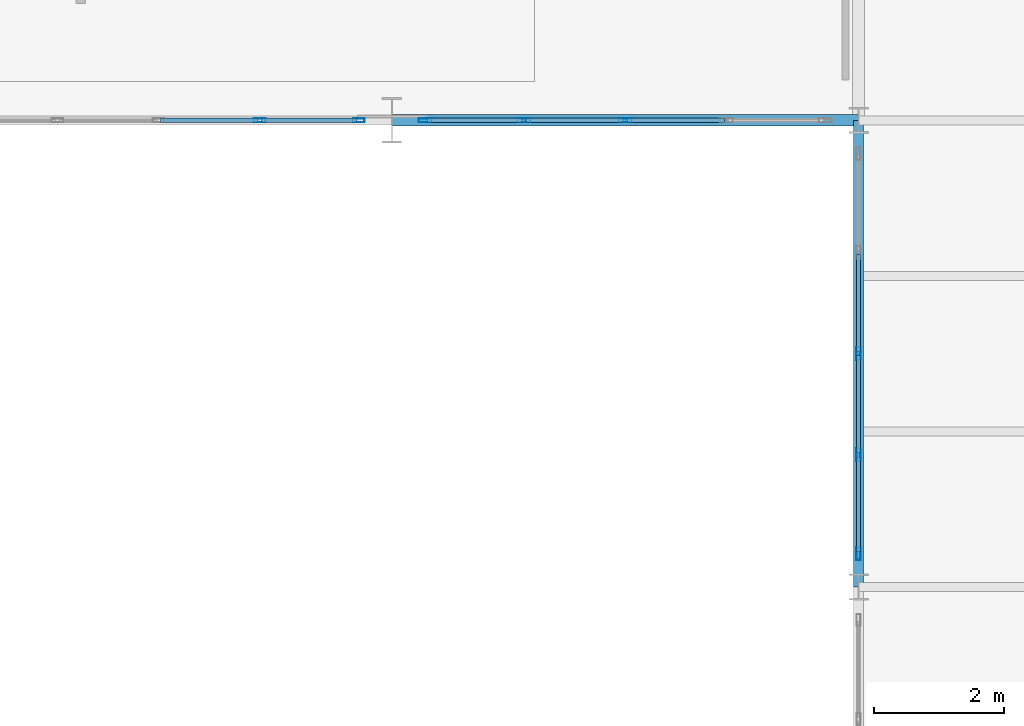
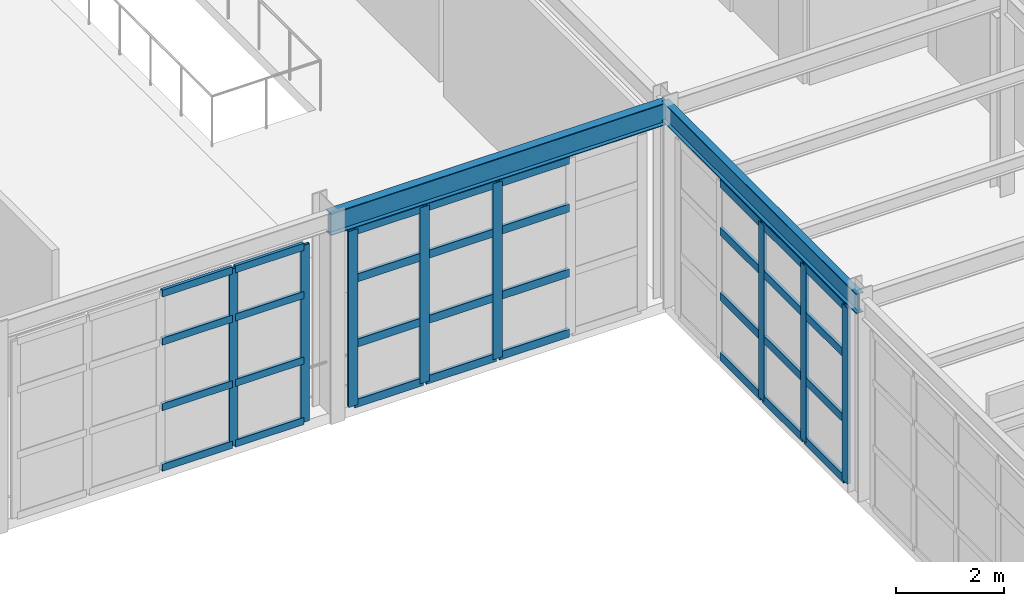
# One storey, part 39 of 126: 40 members, 2 beams, 3 elements without a shape of their own.
"""IFC4 building model written with IfcOpenShell, lengths in metres."""

from ifc_helpers import new_model, si_unit, direction, frame, origin, origin_2d, place, context, subcontext, project, spatial, hollow_rectangle, i_section, extrude, material, layer, layer_set, material_profile, profile_set, type_object, element, aggregate, save


model = new_model("IFC4")

# Units and contexts
model_context = context("Model", 3, precision=1e-05, world=origin(), true_north=direction((0.0, 1.0)))
body_context = subcontext(model_context, "Body", "Model", "MODEL_VIEW")
ifc_project = project(units=[si_unit("LENGTHUNIT", "METRE"), si_unit("AREAUNIT", "SQUARE_METRE"), si_unit("VOLUMEUNIT", "CUBIC_METRE"), si_unit("PLANEANGLEUNIT", "RADIAN"), si_unit("MASSUNIT", "GRAM", prefix="KILO")], contexts=[model_context])

# Site, building, storey
site_placement = place(None, origin())
site = spatial("IfcSite", under=ifc_project, at=site_placement, CompositionType="ELEMENT")
building_placement = place(site_placement, origin())
building = spatial("IfcBuilding", under=site, at=building_placement, Name="Solvadek Multi-Sports Hall", CompositionType="ELEMENT")
storey_placement = place(building_placement, frame((0.0, 0.0, 9.60009765625)))
storey = spatial("IfcBuildingStorey", under=building, at=storey_placement, Name="L02", CompositionType="ELEMENT", Elevation=9.60009765625)

# Curtain wall, members
ifc_material_1 = material(Name="Anodised aluminium", Category="aluminium")
ifc_layer_1 = layer(ifc_material_1, 0.159912109375, Name="Anodised aluminium")
ifc_layer_set_1 = layer_set([ifc_layer_1], Name="Anodised aluminium")
curtain_wall_type_1 = type_object("IfcCurtainWallType", Name="ENV-CW-624X400", PredefinedType="USERDEFINED", material=ifc_layer_set_1)
curtain_wall_1_placement = place(storey_placement, origin())
curtain_wall_1 = element("IfcCurtainWall", 1, at=curtain_wall_1_placement, inside=storey, type_object=curtain_wall_type_1, Name="L02 Perimeter Bay Curtain Wall #173", ObjectType="CURTAIN WALL", PredefinedType="USERDEFINED")
ifc_material_profile_1 = material_profile(ifc_material_1, hollow_rectangle(XDim=0.06005859375, YDim=0.179931640625, WallThickness=0.00390625, at=origin_2d()), Name="ALU-M 180x60x4")
ifc_profile_set_1 = profile_set([ifc_material_profile_1], Name="Anodised aluminium")
member_type_1 = type_object("IfcMemberType", Name="ENV-CWM-02", PredefinedType="MULLION", material=ifc_profile_set_1)
member_1_placement = place(storey_placement, frame((48.360107421875, 49.199951171875, 0.0), z_axis=(0.0, 0.0, 1.0), x_axis=(0.0, 1.0, 0.0)))
member_1 = element("IfcMember", 2, at=member_1_placement, type_object=member_type_1, Name="CW-56 mullion 4", PredefinedType="MULLION", context=body_context, shape_type="SweptSolid", body=[
    extrude(hollow_rectangle(XDim=0.06005859375, YDim=0.179931640625, WallThickness=0.00390625, at=origin_2d()), origin(), (0.0, 0.0, 1.0), 4.0),
])
member_2_placement = place(storey_placement, frame((49.889892578125, 49.199951171875, 0.0), z_axis=(0.0, 0.0, 1.0), x_axis=(0.0, 1.0, 0.0)))
member_2 = element("IfcMember", 3, at=member_2_placement, type_object=member_type_1, Name="CW-56 mullion 5", PredefinedType="MULLION", context=body_context, shape_type="SweptSolid", body=[
    extrude(hollow_rectangle(XDim=0.06005859375, YDim=0.179931640625, WallThickness=0.00390625, at=origin_2d()), origin(), (0.0, 0.0, 1.0), 4.0),
])

ifc_layer_2 = layer(ifc_material_1, 0.159912109375, Name="Anodised aluminium")
ifc_layer_set_2 = layer_set([ifc_layer_2], Name="Anodised aluminium")
curtain_wall_type_2 = type_object("IfcCurtainWallType", Name="ENV-CW-624X397", PredefinedType="USERDEFINED", material=ifc_layer_set_2)
curtain_wall_2_placement = place(storey_placement, origin())
curtain_wall_2 = element("IfcCurtainWall", 4, at=curtain_wall_2_placement, inside=storey, type_object=curtain_wall_type_2, Name="L02 Perimeter Bay Curtain Wall #179", ObjectType="CURTAIN WALL", PredefinedType="USERDEFINED")
ifc_material_profile_2 = material_profile(ifc_material_1, hollow_rectangle(XDim=0.06494140625, YDim=0.199951171875, WallThickness=0.0048828125, at=origin_2d()), Name="ALU-M 200x65x5")
ifc_profile_set_2 = profile_set([ifc_material_profile_2], Name="Anodised aluminium")
member_type_2 = type_object("IfcMemberType", Name="ENV-CWM-03", PredefinedType="MULLION", material=ifc_profile_set_2)
member_3_placement = place(storey_placement, frame((50.91259765625, 49.199951171875, 0.0), z_axis=(0.0, 0.0, 1.0), x_axis=(0.0, 1.0, 0.0)))
member_3 = element("IfcMember", 5, at=member_3_placement, type_object=member_type_2, Name="CW-57 mullion 1", PredefinedType="MULLION", context=body_context, shape_type="SweptSolid", body=[
    extrude(hollow_rectangle(XDim=0.06494140625, YDim=0.199951171875, WallThickness=0.0048828125, at=origin_2d()), origin(), (0.0, 0.0, 1.0), 3.974853515625),
])
member_4_placement = place(storey_placement, frame((52.43994140625, 49.199951171875, 0.0), z_axis=(0.0, 0.0, 1.0), x_axis=(0.0, 1.0, 0.0)))
member_4 = element("IfcMember", 6, at=member_4_placement, type_object=member_type_2, Name="CW-57 mullion 2", PredefinedType="MULLION", context=body_context, shape_type="SweptSolid", body=[
    extrude(hollow_rectangle(XDim=0.06494140625, YDim=0.199951171875, WallThickness=0.0048828125, at=origin_2d()), origin(), (0.0, 0.0, 1.0), 3.974853515625),
])
member_5_placement = place(storey_placement, frame((54.0, 49.199951171875, 0.0), z_axis=(0.0, 0.0, 1.0), x_axis=(0.0, 1.0, 0.0)))
member_5 = element("IfcMember", 7, at=member_5_placement, type_object=member_type_2, Name="CW-57 mullion 3", PredefinedType="MULLION", context=body_context, shape_type="SweptSolid", body=[
    extrude(hollow_rectangle(XDim=0.06494140625, YDim=0.199951171875, WallThickness=0.0048828125, at=origin_2d()), origin(), (0.0, 0.0, 1.0), 3.974853515625),
])

curtain_wall_3_placement = place(storey_placement, origin())
curtain_wall_3 = element("IfcCurtainWall", 8, at=curtain_wall_3_placement, inside=storey, type_object=curtain_wall_type_2, Name="L02 Perimeter Bay Curtain Wall #202", ObjectType="CURTAIN WALL", PredefinedType="USERDEFINED")
member_6_placement = place(storey_placement, frame((57.60009765625, 42.512451171875, 0.0), z_axis=(0.0, 0.0, 1.0), x_axis=(-1.0, 0.0, 0.0)))
member_6 = element("IfcMember", 9, at=member_6_placement, type_object=member_type_2, Name="CW-57 mullion 1", PredefinedType="MULLION", context=body_context, shape_type="SweptSolid", body=[
    extrude(hollow_rectangle(XDim=0.06494140625, YDim=0.199951171875, WallThickness=0.0048828125, at=origin_2d()), origin(), (0.0, 0.0, 1.0), 3.974853515625),
])
member_7_placement = place(storey_placement, frame((57.60009765625, 44.0400390625, 0.0), z_axis=(0.0, 0.0, 1.0), x_axis=(-1.0, 0.0, 0.0)))
member_7 = element("IfcMember", 10, at=member_7_placement, type_object=member_type_2, Name="CW-57 mullion 2", PredefinedType="MULLION", context=body_context, shape_type="SweptSolid", body=[
    extrude(hollow_rectangle(XDim=0.06494140625, YDim=0.199951171875, WallThickness=0.0048828125, at=origin_2d()), origin(), (0.0, 0.0, 1.0), 3.974853515625),
])
member_8_placement = place(storey_placement, frame((57.60009765625, 45.60009765625, 0.0), z_axis=(0.0, 0.0, 1.0), x_axis=(-1.0, 0.0, 0.0)))
member_8 = element("IfcMember", 11, at=member_8_placement, type_object=member_type_2, Name="CW-57 mullion 3", PredefinedType="MULLION", context=body_context, shape_type="SweptSolid", body=[
    extrude(hollow_rectangle(XDim=0.06494140625, YDim=0.199951171875, WallThickness=0.0048828125, at=origin_2d()), origin(), (0.0, 0.0, 1.0), 3.974853515625),
])

# Member
ifc_material_profile_3 = material_profile(ifc_material_1, hollow_rectangle(XDim=0.06494140625, YDim=0.159912109375, WallThickness=0.00390625, at=origin_2d()), Name="ALU-T 160x65x4")
ifc_profile_set_3 = profile_set([ifc_material_profile_3], Name="Anodised aluminium")
member_type_3 = type_object("IfcMemberType", Name="ENV-CWT-03", PredefinedType="USERDEFINED", material=ifc_profile_set_3)
member_9_placement = place(storey_placement, frame((46.830078125, 49.199951171875, 0.032470703125), z_axis=(1.0, 0.0, 0.0), x_axis=(0.0, 1.0, 0.0)))
member_9 = element("IfcMember", 12, at=member_9_placement, type_object=member_type_3, Name="CW-56 transom 3.1", ObjectType="TRANSOM", PredefinedType="USERDEFINED", context=body_context, shape_type="SweptSolid", body=[
    extrude(hollow_rectangle(XDim=0.06494140625, YDim=0.159912109375, WallThickness=0.00390625, at=origin_2d()), origin(), (0.0, 0.0, 1.0), 1.5),
])

member_10_placement = place(storey_placement, frame((46.830078125, 49.199951171875, 1.39990234375), z_axis=(1.0, 0.0, 0.0), x_axis=(0.0, 1.0, 0.0)))
member_10 = element("IfcMember", 13, at=member_10_placement, type_object=member_type_3, Name="CW-56 transom 3.2", ObjectType="TRANSOM", PredefinedType="USERDEFINED", context=body_context, shape_type="SweptSolid", body=[
    extrude(hollow_rectangle(XDim=0.06494140625, YDim=0.159912109375, WallThickness=0.00390625, at=origin_2d()), origin(), (0.0, 0.0, 1.0), 1.5),
])

member_11_placement = place(storey_placement, frame((46.830078125, 49.199951171875, 2.8798828125), z_axis=(1.0, 0.0, 0.0), x_axis=(0.0, 1.0, 0.0)))
member_11 = element("IfcMember", 14, at=member_11_placement, type_object=member_type_3, Name="CW-56 transom 3.3", ObjectType="TRANSOM", PredefinedType="USERDEFINED", context=body_context, shape_type="SweptSolid", body=[
    extrude(hollow_rectangle(XDim=0.06494140625, YDim=0.159912109375, WallThickness=0.00390625, at=origin_2d()), origin(), (0.0, 0.0, 1.0), 1.5),
])

member_12_placement = place(storey_placement, frame((46.830078125, 49.199951171875, 3.96728515625), z_axis=(1.0, 0.0, 0.0), x_axis=(0.0, 1.0, 0.0)))
member_12 = element("IfcMember", 15, at=member_12_placement, type_object=member_type_3, Name="CW-56 transom 3.4", ObjectType="TRANSOM", PredefinedType="USERDEFINED", context=body_context, shape_type="SweptSolid", body=[
    extrude(hollow_rectangle(XDim=0.06494140625, YDim=0.159912109375, WallThickness=0.00390625, at=origin_2d()), origin(), (0.0, 0.0, 1.0), 1.5),
])

member_13_placement = place(storey_placement, frame((48.389892578125, 49.199951171875, 0.032470703125), z_axis=(1.0, 0.0, 0.0), x_axis=(0.0, 1.0, 0.0)))
member_13 = element("IfcMember", 16, at=member_13_placement, type_object=member_type_3, Name="CW-56 transom 4.1", ObjectType="TRANSOM", PredefinedType="USERDEFINED", context=body_context, shape_type="SweptSolid", body=[
    extrude(hollow_rectangle(XDim=0.06494140625, YDim=0.159912109375, WallThickness=0.00390625, at=origin_2d()), origin(), (0.0, 0.0, 1.0), 1.47021484375),
])

member_14_placement = place(storey_placement, frame((48.389892578125, 49.199951171875, 1.39990234375), z_axis=(1.0, 0.0, 0.0), x_axis=(0.0, 1.0, 0.0)))
member_14 = element("IfcMember", 17, at=member_14_placement, type_object=member_type_3, Name="CW-56 transom 4.2", ObjectType="TRANSOM", PredefinedType="USERDEFINED", context=body_context, shape_type="SweptSolid", body=[
    extrude(hollow_rectangle(XDim=0.06494140625, YDim=0.159912109375, WallThickness=0.00390625, at=origin_2d()), origin(), (0.0, 0.0, 1.0), 1.47021484375),
])

member_15_placement = place(storey_placement, frame((48.389892578125, 49.199951171875, 2.8798828125), z_axis=(1.0, 0.0, 0.0), x_axis=(0.0, 1.0, 0.0)))
member_15 = element("IfcMember", 18, at=member_15_placement, type_object=member_type_3, Name="CW-56 transom 4.3", ObjectType="TRANSOM", PredefinedType="USERDEFINED", context=body_context, shape_type="SweptSolid", body=[
    extrude(hollow_rectangle(XDim=0.06494140625, YDim=0.159912109375, WallThickness=0.00390625, at=origin_2d()), origin(), (0.0, 0.0, 1.0), 1.47021484375),
])

member_16_placement = place(storey_placement, frame((48.389892578125, 49.199951171875, 3.96728515625), z_axis=(1.0, 0.0, 0.0), x_axis=(0.0, 1.0, 0.0)))
member_16 = element("IfcMember", 19, at=member_16_placement, type_object=member_type_3, Name="CW-56 transom 4.4", ObjectType="TRANSOM", PredefinedType="USERDEFINED", context=body_context, shape_type="SweptSolid", body=[
    extrude(hollow_rectangle(XDim=0.06494140625, YDim=0.159912109375, WallThickness=0.00390625, at=origin_2d()), origin(), (0.0, 0.0, 1.0), 1.47021484375),
])

aggregate(curtain_wall_1, [member_1, member_2, member_9, member_10, member_11, member_12, member_13, member_14, member_15, member_16])

ifc_material_profile_4 = material_profile(ifc_material_1, hollow_rectangle(XDim=0.06494140625, YDim=0.179931640625, WallThickness=0.0048828125, at=origin_2d()), Name="ALU-T 180x65x5")
ifc_profile_set_4 = profile_set([ifc_material_profile_4], Name="Anodised aluminium")
member_type_4 = type_object("IfcMemberType", Name="ENV-CWT-04", PredefinedType="USERDEFINED", material=ifc_profile_set_4)
member_17_placement = place(storey_placement, frame((50.945068359375, 49.199951171875, 0.032470703125), z_axis=(1.0, 0.0, 0.0), x_axis=(0.0, 1.0, 0.0)))
member_17 = element("IfcMember", 20, at=member_17_placement, type_object=member_type_4, Name="CW-57 transom 1.1", ObjectType="TRANSOM", PredefinedType="USERDEFINED", context=body_context, shape_type="SweptSolid", body=[
    extrude(hollow_rectangle(XDim=0.06494140625, YDim=0.179931640625, WallThickness=0.0048828125, at=origin_2d()), origin(), (0.0, 0.0, 1.0), 1.46240234375),
])

member_18_placement = place(storey_placement, frame((50.945068359375, 49.199951171875, 1.390869140625), z_axis=(1.0, 0.0, 0.0), x_axis=(0.0, 1.0, 0.0)))
member_18 = element("IfcMember", 21, at=member_18_placement, type_object=member_type_4, Name="CW-57 transom 1.2", ObjectType="TRANSOM", PredefinedType="USERDEFINED", context=body_context, shape_type="SweptSolid", body=[
    extrude(hollow_rectangle(XDim=0.06494140625, YDim=0.179931640625, WallThickness=0.0048828125, at=origin_2d()), origin(), (0.0, 0.0, 1.0), 1.46240234375),
])

member_19_placement = place(storey_placement, frame((50.945068359375, 49.199951171875, 2.86181640625), z_axis=(1.0, 0.0, 0.0), x_axis=(0.0, 1.0, 0.0)))
member_19 = element("IfcMember", 22, at=member_19_placement, type_object=member_type_4, Name="CW-57 transom 1.3", ObjectType="TRANSOM", PredefinedType="USERDEFINED", context=body_context, shape_type="SweptSolid", body=[
    extrude(hollow_rectangle(XDim=0.06494140625, YDim=0.179931640625, WallThickness=0.0048828125, at=origin_2d()), origin(), (0.0, 0.0, 1.0), 1.46240234375),
])

member_20_placement = place(storey_placement, frame((50.945068359375, 49.199951171875, 3.9423828125), z_axis=(1.0, 0.0, 0.0), x_axis=(0.0, 1.0, 0.0)))
member_20 = element("IfcMember", 23, at=member_20_placement, type_object=member_type_4, Name="CW-57 transom 1.4", ObjectType="TRANSOM", PredefinedType="USERDEFINED", context=body_context, shape_type="SweptSolid", body=[
    extrude(hollow_rectangle(XDim=0.06494140625, YDim=0.179931640625, WallThickness=0.0048828125, at=origin_2d()), origin(), (0.0, 0.0, 1.0), 1.46240234375),
])

member_21_placement = place(storey_placement, frame((52.472412109375, 49.199951171875, 0.032470703125), z_axis=(1.0, 0.0, 0.0), x_axis=(0.0, 1.0, 0.0)))
member_21 = element("IfcMember", 24, at=member_21_placement, type_object=member_type_4, Name="CW-57 transom 2.1", ObjectType="TRANSOM", PredefinedType="USERDEFINED", context=body_context, shape_type="SweptSolid", body=[
    extrude(hollow_rectangle(XDim=0.06494140625, YDim=0.179931640625, WallThickness=0.0048828125, at=origin_2d()), origin(), (0.0, 0.0, 1.0), 1.4951171875),
])

member_22_placement = place(storey_placement, frame((52.472412109375, 49.199951171875, 1.390869140625), z_axis=(1.0, 0.0, 0.0), x_axis=(0.0, 1.0, 0.0)))
member_22 = element("IfcMember", 25, at=member_22_placement, type_object=member_type_4, Name="CW-57 transom 2.2", ObjectType="TRANSOM", PredefinedType="USERDEFINED", context=body_context, shape_type="SweptSolid", body=[
    extrude(hollow_rectangle(XDim=0.06494140625, YDim=0.179931640625, WallThickness=0.0048828125, at=origin_2d()), origin(), (0.0, 0.0, 1.0), 1.4951171875),
])

member_23_placement = place(storey_placement, frame((52.472412109375, 49.199951171875, 2.86181640625), z_axis=(1.0, 0.0, 0.0), x_axis=(0.0, 1.0, 0.0)))
member_23 = element("IfcMember", 26, at=member_23_placement, type_object=member_type_4, Name="CW-57 transom 2.3", ObjectType="TRANSOM", PredefinedType="USERDEFINED", context=body_context, shape_type="SweptSolid", body=[
    extrude(hollow_rectangle(XDim=0.06494140625, YDim=0.179931640625, WallThickness=0.0048828125, at=origin_2d()), origin(), (0.0, 0.0, 1.0), 1.4951171875),
])

member_24_placement = place(storey_placement, frame((52.472412109375, 49.199951171875, 3.9423828125), z_axis=(1.0, 0.0, 0.0), x_axis=(0.0, 1.0, 0.0)))
member_24 = element("IfcMember", 27, at=member_24_placement, type_object=member_type_4, Name="CW-57 transom 2.4", ObjectType="TRANSOM", PredefinedType="USERDEFINED", context=body_context, shape_type="SweptSolid", body=[
    extrude(hollow_rectangle(XDim=0.06494140625, YDim=0.179931640625, WallThickness=0.0048828125, at=origin_2d()), origin(), (0.0, 0.0, 1.0), 1.4951171875),
])

member_25_placement = place(storey_placement, frame((54.032470703125, 49.199951171875, 0.032470703125), z_axis=(1.0, 0.0, 0.0), x_axis=(0.0, 1.0, 0.0)))
member_25 = element("IfcMember", 28, at=member_25_placement, type_object=member_type_4, Name="CW-57 transom 3.1", ObjectType="TRANSOM", PredefinedType="USERDEFINED", context=body_context, shape_type="SweptSolid", body=[
    extrude(hollow_rectangle(XDim=0.06494140625, YDim=0.179931640625, WallThickness=0.0048828125, at=origin_2d()), origin(), (0.0, 0.0, 1.0), 1.4951171875),
])

member_26_placement = place(storey_placement, frame((54.032470703125, 49.199951171875, 1.390869140625), z_axis=(1.0, 0.0, 0.0), x_axis=(0.0, 1.0, 0.0)))
member_26 = element("IfcMember", 29, at=member_26_placement, type_object=member_type_4, Name="CW-57 transom 3.2", ObjectType="TRANSOM", PredefinedType="USERDEFINED", context=body_context, shape_type="SweptSolid", body=[
    extrude(hollow_rectangle(XDim=0.06494140625, YDim=0.179931640625, WallThickness=0.0048828125, at=origin_2d()), origin(), (0.0, 0.0, 1.0), 1.4951171875),
])

member_27_placement = place(storey_placement, frame((54.032470703125, 49.199951171875, 2.86181640625), z_axis=(1.0, 0.0, 0.0), x_axis=(0.0, 1.0, 0.0)))
member_27 = element("IfcMember", 30, at=member_27_placement, type_object=member_type_4, Name="CW-57 transom 3.3", ObjectType="TRANSOM", PredefinedType="USERDEFINED", context=body_context, shape_type="SweptSolid", body=[
    extrude(hollow_rectangle(XDim=0.06494140625, YDim=0.179931640625, WallThickness=0.0048828125, at=origin_2d()), origin(), (0.0, 0.0, 1.0), 1.4951171875),
])

member_28_placement = place(storey_placement, frame((54.032470703125, 49.199951171875, 3.9423828125), z_axis=(1.0, 0.0, 0.0), x_axis=(0.0, 1.0, 0.0)))
member_28 = element("IfcMember", 31, at=member_28_placement, type_object=member_type_4, Name="CW-57 transom 3.4", ObjectType="TRANSOM", PredefinedType="USERDEFINED", context=body_context, shape_type="SweptSolid", body=[
    extrude(hollow_rectangle(XDim=0.06494140625, YDim=0.179931640625, WallThickness=0.0048828125, at=origin_2d()), origin(), (0.0, 0.0, 1.0), 1.4951171875),
])

aggregate(curtain_wall_2, [member_3, member_4, member_5, member_17, member_18, member_19, member_20, member_21, member_22, member_23, member_24, member_25, member_26, member_27, member_28])

member_29_placement = place(storey_placement, frame((57.60009765625, 42.544921875, 0.032470703125), z_axis=(0.0, 1.0, 0.0), x_axis=(-1.0, 0.0, 0.0)))
member_29 = element("IfcMember", 32, at=member_29_placement, type_object=member_type_4, Name="CW-57 transom 1.1", ObjectType="TRANSOM", PredefinedType="USERDEFINED", context=body_context, shape_type="SweptSolid", body=[
    extrude(hollow_rectangle(XDim=0.06494140625, YDim=0.179931640625, WallThickness=0.0048828125, at=origin_2d()), origin(), (0.0, 0.0, 1.0), 1.462646484375),
])

member_30_placement = place(storey_placement, frame((57.60009765625, 42.544921875, 1.390869140625), z_axis=(0.0, 1.0, 0.0), x_axis=(-1.0, 0.0, 0.0)))
member_30 = element("IfcMember", 33, at=member_30_placement, type_object=member_type_4, Name="CW-57 transom 1.2", ObjectType="TRANSOM", PredefinedType="USERDEFINED", context=body_context, shape_type="SweptSolid", body=[
    extrude(hollow_rectangle(XDim=0.06494140625, YDim=0.179931640625, WallThickness=0.0048828125, at=origin_2d()), origin(), (0.0, 0.0, 1.0), 1.462646484375),
])

member_31_placement = place(storey_placement, frame((57.60009765625, 42.544921875, 2.86181640625), z_axis=(0.0, 1.0, 0.0), x_axis=(-1.0, 0.0, 0.0)))
member_31 = element("IfcMember", 34, at=member_31_placement, type_object=member_type_4, Name="CW-57 transom 1.3", ObjectType="TRANSOM", PredefinedType="USERDEFINED", context=body_context, shape_type="SweptSolid", body=[
    extrude(hollow_rectangle(XDim=0.06494140625, YDim=0.179931640625, WallThickness=0.0048828125, at=origin_2d()), origin(), (0.0, 0.0, 1.0), 1.462646484375),
])

member_32_placement = place(storey_placement, frame((57.60009765625, 42.544921875, 3.9423828125), z_axis=(0.0, 1.0, 0.0), x_axis=(-1.0, 0.0, 0.0)))
member_32 = element("IfcMember", 35, at=member_32_placement, type_object=member_type_4, Name="CW-57 transom 1.4", ObjectType="TRANSOM", PredefinedType="USERDEFINED", context=body_context, shape_type="SweptSolid", body=[
    extrude(hollow_rectangle(XDim=0.06494140625, YDim=0.179931640625, WallThickness=0.0048828125, at=origin_2d()), origin(), (0.0, 0.0, 1.0), 1.462646484375),
])

member_33_placement = place(storey_placement, frame((57.60009765625, 44.072509765625, 0.032470703125), z_axis=(0.0, 1.0, 0.0), x_axis=(-1.0, 0.0, 0.0)))
member_33 = element("IfcMember", 36, at=member_33_placement, type_object=member_type_4, Name="CW-57 transom 2.1", ObjectType="TRANSOM", PredefinedType="USERDEFINED", context=body_context, shape_type="SweptSolid", body=[
    extrude(hollow_rectangle(XDim=0.06494140625, YDim=0.179931640625, WallThickness=0.0048828125, at=origin_2d()), origin(), (0.0, 0.0, 1.0), 1.494873046875),
])

member_34_placement = place(storey_placement, frame((57.60009765625, 44.072509765625, 1.390869140625), z_axis=(0.0, 1.0, 0.0), x_axis=(-1.0, 0.0, 0.0)))
member_34 = element("IfcMember", 37, at=member_34_placement, type_object=member_type_4, Name="CW-57 transom 2.2", ObjectType="TRANSOM", PredefinedType="USERDEFINED", context=body_context, shape_type="SweptSolid", body=[
    extrude(hollow_rectangle(XDim=0.06494140625, YDim=0.179931640625, WallThickness=0.0048828125, at=origin_2d()), origin(), (0.0, 0.0, 1.0), 1.494873046875),
])

member_35_placement = place(storey_placement, frame((57.60009765625, 44.072509765625, 2.86181640625), z_axis=(0.0, 1.0, 0.0), x_axis=(-1.0, 0.0, 0.0)))
member_35 = element("IfcMember", 38, at=member_35_placement, type_object=member_type_4, Name="CW-57 transom 2.3", ObjectType="TRANSOM", PredefinedType="USERDEFINED", context=body_context, shape_type="SweptSolid", body=[
    extrude(hollow_rectangle(XDim=0.06494140625, YDim=0.179931640625, WallThickness=0.0048828125, at=origin_2d()), origin(), (0.0, 0.0, 1.0), 1.494873046875),
])

member_36_placement = place(storey_placement, frame((57.60009765625, 44.072509765625, 3.9423828125), z_axis=(0.0, 1.0, 0.0), x_axis=(-1.0, 0.0, 0.0)))
member_36 = element("IfcMember", 39, at=member_36_placement, type_object=member_type_4, Name="CW-57 transom 2.4", ObjectType="TRANSOM", PredefinedType="USERDEFINED", context=body_context, shape_type="SweptSolid", body=[
    extrude(hollow_rectangle(XDim=0.06494140625, YDim=0.179931640625, WallThickness=0.0048828125, at=origin_2d()), origin(), (0.0, 0.0, 1.0), 1.494873046875),
])

member_37_placement = place(storey_placement, frame((57.60009765625, 45.632568359375, 0.032470703125), z_axis=(0.0, 1.0, 0.0), x_axis=(-1.0, 0.0, 0.0)))
member_37 = element("IfcMember", 40, at=member_37_placement, type_object=member_type_4, Name="CW-57 transom 3.1", ObjectType="TRANSOM", PredefinedType="USERDEFINED", context=body_context, shape_type="SweptSolid", body=[
    extrude(hollow_rectangle(XDim=0.06494140625, YDim=0.179931640625, WallThickness=0.0048828125, at=origin_2d()), origin(), (0.0, 0.0, 1.0), 1.494873046875),
])

member_38_placement = place(storey_placement, frame((57.60009765625, 45.632568359375, 1.390869140625), z_axis=(0.0, 1.0, 0.0), x_axis=(-1.0, 0.0, 0.0)))
member_38 = element("IfcMember", 41, at=member_38_placement, type_object=member_type_4, Name="CW-57 transom 3.2", ObjectType="TRANSOM", PredefinedType="USERDEFINED", context=body_context, shape_type="SweptSolid", body=[
    extrude(hollow_rectangle(XDim=0.06494140625, YDim=0.179931640625, WallThickness=0.0048828125, at=origin_2d()), origin(), (0.0, 0.0, 1.0), 1.494873046875),
])

member_39_placement = place(storey_placement, frame((57.60009765625, 45.632568359375, 2.86181640625), z_axis=(0.0, 1.0, 0.0), x_axis=(-1.0, 0.0, 0.0)))
member_39 = element("IfcMember", 42, at=member_39_placement, type_object=member_type_4, Name="CW-57 transom 3.3", ObjectType="TRANSOM", PredefinedType="USERDEFINED", context=body_context, shape_type="SweptSolid", body=[
    extrude(hollow_rectangle(XDim=0.06494140625, YDim=0.179931640625, WallThickness=0.0048828125, at=origin_2d()), origin(), (0.0, 0.0, 1.0), 1.494873046875),
])

member_40_placement = place(storey_placement, frame((57.60009765625, 45.632568359375, 3.9423828125), z_axis=(0.0, 1.0, 0.0), x_axis=(-1.0, 0.0, 0.0)))
member_40 = element("IfcMember", 43, at=member_40_placement, type_object=member_type_4, Name="CW-57 transom 3.4", ObjectType="TRANSOM", PredefinedType="USERDEFINED", context=body_context, shape_type="SweptSolid", body=[
    extrude(hollow_rectangle(XDim=0.06494140625, YDim=0.179931640625, WallThickness=0.0048828125, at=origin_2d()), origin(), (0.0, 0.0, 1.0), 1.494873046875),
])

aggregate(curtain_wall_3, [member_6, member_7, member_8, member_29, member_30, member_31, member_32, member_33, member_34, member_35, member_36, member_37, member_38, member_39, member_40])

# Beams
ifc_material_2 = material(Name="Steel E350 (350 MPa)", Category="steel")
ifc_material_profile_5 = material_profile(ifc_material_2, i_section(OverallWidth=0.14990234375, OverallDepth=0.449951171875, WebThickness=0.009521484375, FlangeThickness=0.017333984375, at=origin_2d()), Name="ISMB 450")
ifc_profile_set_5 = profile_set([ifc_material_profile_5], Name="Steel E350 (350 MPa)")
beam_type_1 = type_object("IfcBeamType", Name="STR-BM-ISMB450", PredefinedType="BEAM", material=ifc_profile_set_5)
beam_1_placement = place(storey_placement, frame((57.60009765625, 42.0, 4.3349609375), z_axis=(0.0, 1.0, 0.0), x_axis=(-1.0, 0.0, 0.0)))
element("IfcBeam", 44, at=beam_1_placement, inside=storey, type_object=beam_type_1, Name="L02 Girder B-09 #1527", PredefinedType="BEAM", context=body_context, shape_type="SweptSolid", body=[
    extrude(i_section(OverallWidth=0.14990234375, OverallDepth=0.449951171875, WebThickness=0.009521484375, FlangeThickness=0.017333984375, at=origin_2d()), origin(), (0.0, 0.0, 1.0), 7.199951171875),
])
ifc_material_profile_6 = material_profile(ifc_material_2, i_section(OverallWidth=0.179931640625, OverallDepth=0.5, WebThickness=0.01025390625, FlangeThickness=0.01708984375, at=origin_2d()), Name="ISMB 500")
ifc_profile_set_6 = profile_set([ifc_material_profile_6], Name="Steel E350 (350 MPa)")
beam_type_2 = type_object("IfcBeamType", Name="STR-BM-ISMB500", PredefinedType="BEAM", material=ifc_profile_set_6)
beam_2_placement = place(storey_placement, frame((50.39990234375, 49.199951171875, 4.309814453125), z_axis=(1.0, 0.0, 0.0), x_axis=(0.0, 1.0, 0.0)))
element("IfcBeam", 45, at=beam_2_placement, inside=storey, type_object=beam_type_2, Name="L02 Girder B-07 #1372", PredefinedType="BEAM", context=body_context, shape_type="SweptSolid", body=[
    extrude(i_section(OverallWidth=0.179931640625, OverallDepth=0.5, WebThickness=0.01025390625, FlangeThickness=0.01708984375, at=origin_2d()), origin(), (0.0, 0.0, 1.0), 7.2001953125),
])

save(model, "model.ifc")
